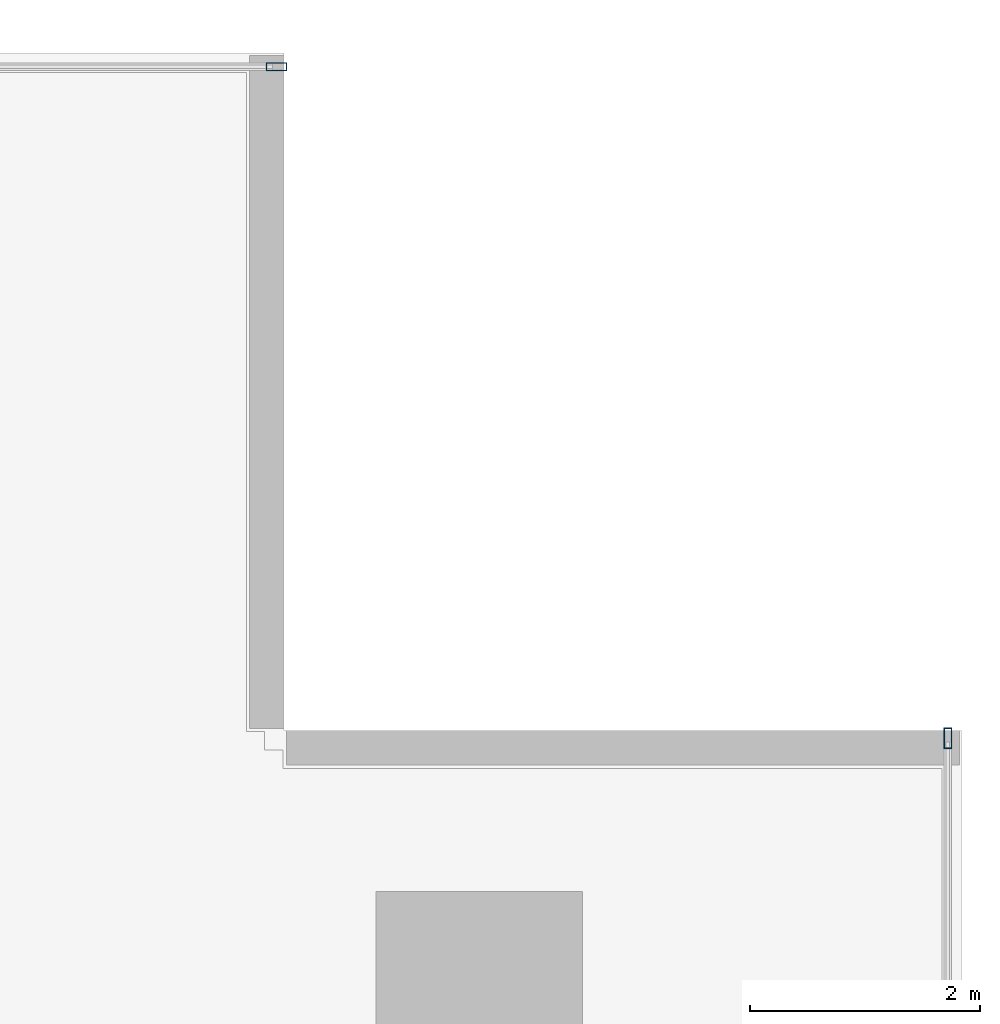
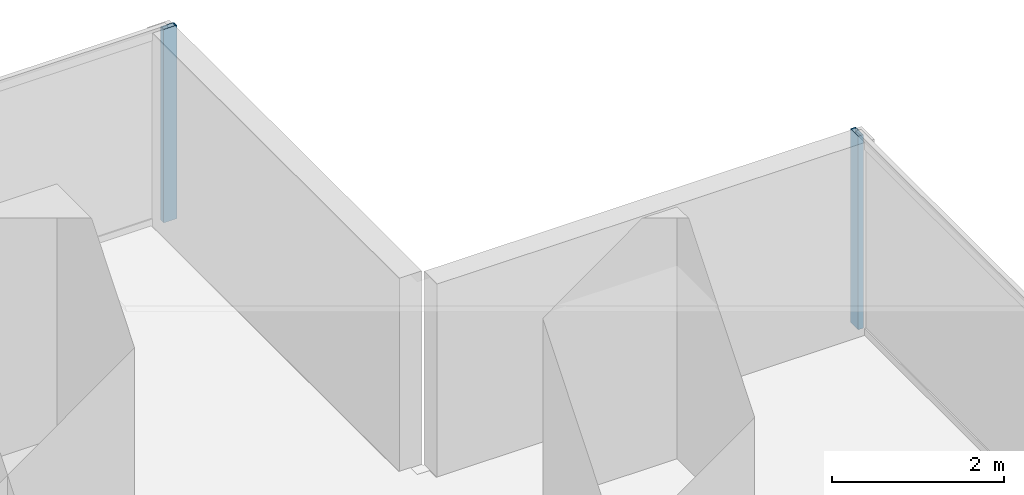
# One storey, part 22 of 32: 2 members, 2 elements without a shape of their own.
"""IFC4 building model written with IfcOpenShell, lengths in metres."""

from ifc_helpers import new_model, si_unit, direction, frame, origin, origin_2d, place, context, subcontext, project, spatial, hollow_rectangle, extrude, source, transform, mapped, material, layer, layer_set, material_profile, profile_set, type_object, element, aggregate, save


model = new_model("IFC4")

# Units and contexts
model_context = context("Model", 3, precision=1e-05, world=origin(), true_north=direction((0.0, 1.0)))
body_context = subcontext(model_context, "Body", "Model", "MODEL_VIEW")
ifc_project = project(units=[si_unit("LENGTHUNIT", "METRE"), si_unit("AREAUNIT", "SQUARE_METRE"), si_unit("VOLUMEUNIT", "CUBIC_METRE"), si_unit("PLANEANGLEUNIT", "RADIAN"), si_unit("MASSUNIT", "GRAM", prefix="KILO")], contexts=[model_context])

# Site, building, storey
site_placement = place(None, origin())
site = spatial("IfcSite", under=ifc_project, at=site_placement, CompositionType="ELEMENT")
building_placement = place(site_placement, origin())
building = spatial("IfcBuilding", under=site, at=building_placement, Name="Sumidabori Civic Tower", CompositionType="ELEMENT")
storey_placement = place(building_placement, frame((0.0, 0.0, 45.199951171875)))
storey = spatial("IfcBuildingStorey", under=building, at=storey_placement, Name="L11", CompositionType="ELEMENT", Elevation=45.199951171875)

# Curtain wall, member
ifc_material = material(Name="Anodised Bronze Aluminium AW-6063-T6", Category="aluminium")
ifc_layer = layer(ifc_material, 0.179931640625, Name="Anodised Bronze Aluminium AW-6063-T6")
ifc_layer_set = layer_set([ifc_layer], Name="Anodised Bronze Aluminium AW-6063-T6")
curtain_wall_type = type_object("IfcCurtainWallType", Name="CW-SYS-2", PredefinedType="NOTDEFINED", material=ifc_layer_set)
curtain_wall_1_placement = place(storey_placement, origin())
curtain_wall_1 = element("IfcCurtainWall", 1, at=curtain_wall_1_placement, inside=storey, type_object=curtain_wall_type, Name="Curtain Wall CW:L11:R04", PredefinedType="NOTDEFINED")
ifc_material_profile = material_profile(ifc_material, hollow_rectangle(XDim=0.070068359375, YDim=0.179931640625, WallThickness=0.006103515625, at=origin_2d()), Name="ALU MULLION 180x70")
ifc_profile_set = profile_set([ifc_material_profile], Name="Anodised Bronze Aluminium AW-6063-T6")
member_type = type_object("IfcMemberType", Name="CW-MUL-180", PredefinedType="MULLION", material=ifc_profile_set)
shared_shape = source(origin(), body_context, "Body", "SweptSolid", [
    extrude(hollow_rectangle(XDim=0.070068359375, YDim=0.179931640625, WallThickness=0.006103515625, at=origin_2d()), origin(), (0.0, 0.0, 1.0), 2.739990234375),
])
member_1_placement = place(storey_placement, frame((26.8798828125, 21.034912109375, 0.0), z_axis=(0.0, 0.0, 1.0), x_axis=(-1.0, 0.0, 0.0)))
member_1 = element("IfcMember", 2, at=member_1_placement, type_object=member_type, Name="CW-2 mullion 6", PredefinedType="MULLION", context=body_context, shape_type="MappedRepresentation", body=[
    mapped(shared_shape, transform((0.0, 0.0, 0.0), x_axis=(1.0, 0.0, 0.0), y_axis=(0.0, 1.0, 0.0), z_axis=(0.0, 0.0, 1.0), scale=1.0)),
])
aggregate(curtain_wall_1, [member_1])

curtain_wall_2_placement = place(storey_placement, origin())
curtain_wall_2 = element("IfcCurtainWall", 3, at=curtain_wall_2_placement, inside=storey, type_object=curtain_wall_type, Name="Curtain Wall CW:L11:R07", PredefinedType="NOTDEFINED")
member_2_placement = place(storey_placement, frame((21.034912109375, 26.8798828125, 0.0), z_axis=(0.0, 0.0, 1.0), x_axis=(0.0, -1.0, 0.0)))
member_2 = element("IfcMember", 4, at=member_2_placement, type_object=member_type, Name="CW-2 mullion 1", PredefinedType="MULLION", context=body_context, shape_type="MappedRepresentation", body=[
    mapped(shared_shape, transform((0.0, 0.0, 0.0), x_axis=(1.0, 0.0, 0.0), y_axis=(0.0, 1.0, 0.0), z_axis=(0.0, 0.0, 1.0), scale=1.0)),
])
aggregate(curtain_wall_2, [member_2])

save(model, "model.ifc")
